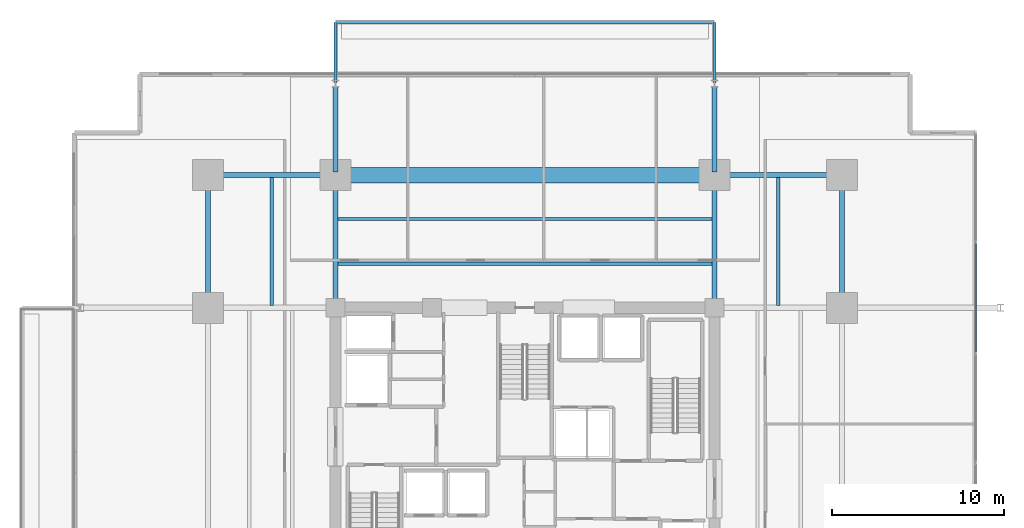
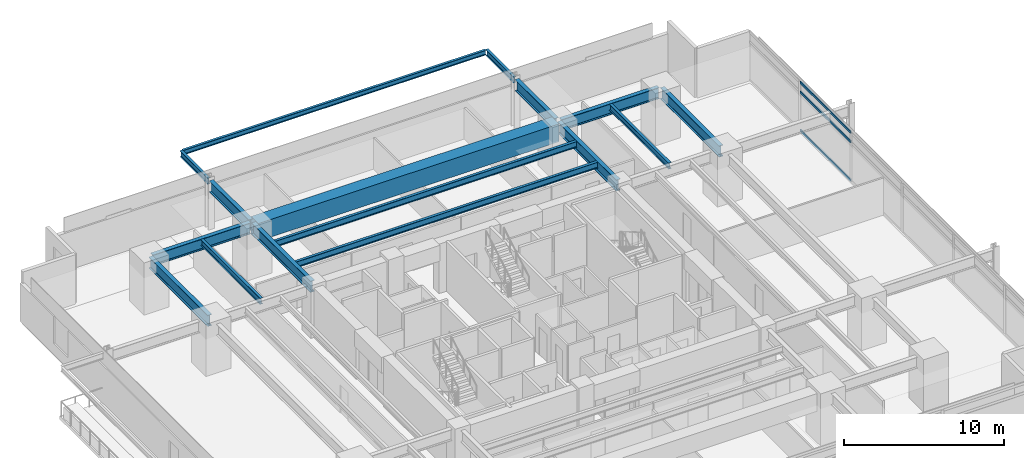
# One storey, part 10 of 20: 16 beams, 3 members, 1 element without a shape of its own.
"""IFC4 building model written with IfcOpenShell, lengths in metres."""

import ifcopenshell
import ifcopenshell.guid

model = None  # the IFC model being written
_history = None  # IfcOwnerHistory: only IFC2X3 demands one
_inside = {}  # id of a spatial element -> (the spatial element, [elements in it])
_under = {}  # id of a project, library or spatial element -> (it, [spatial elements below it])
_declared = {}  # id of a project -> (the project, [libraries it declares])
_typed = {}  # id of a type object -> (the type object, [elements of that type])
_made_of = {}  # id of a material, layer set ... -> (it, [elements and type objects made of it])


def new_model(schema):
    """Start an empty IFC model of exactly this schema.

    Asked for "IFC4X3", IfcOpenShell would pick the latest addendum, in which some entities
    have other attributes; the version numbers below select the first issue.
    IFC2X3 requires an IfcOwnerHistory on every rooted entity: one is made here for all.
    """
    global model, _history
    if schema == "IFC4X3":
        model = ifcopenshell.file(schema_version=(4, 3, 0, 0))
    else:
        model = ifcopenshell.file(schema=schema)
    _inside.clear()
    _under.clear()
    _declared.clear()
    _typed.clear()
    _made_of.clear()
    _history = None
    if model.schema == "IFC2X3":
        org = make("IfcOrganization", Name="unknown")
        user = make(
            "IfcPersonAndOrganization",
            ThePerson=make("IfcPerson", FamilyName="unknown"),
            TheOrganization=org,
        )
        app = make(
            "IfcApplication",
            ApplicationDeveloper=org,
            Version="unknown",
            ApplicationFullName="unknown",
            ApplicationIdentifier="unknown",
        )
        _history = make(
            "IfcOwnerHistory",
            OwningUser=user,
            OwningApplication=app,
            ChangeAction="ADDED",
            CreationDate=0,
        )
    return model


def make(cls, **values):
    """One entity of the class cls with the attributes given. An attribute that is None is left unset."""
    return model.create_entity(
        cls, **{name: value for name, value in values.items() if value is not None}
    )


def rooted(cls, **values):
    """An entity with a GlobalId (a new one), such as an element, a storey or a relation."""
    return make(cls, GlobalId=ifcopenshell.guid.new(), OwnerHistory=_history, **values)


def si_unit(unit_type, name, prefix=None):
    """IfcSIUnit, for example si_unit("LENGTHUNIT", "METRE", prefix="MILLI")."""
    return make("IfcSIUnit", UnitType=unit_type, Prefix=prefix, Name=name)


def assignment(units):
    """IfcUnitAssignment: the units of a project."""
    return None if units is None else make("IfcUnitAssignment", Units=units)


def point(xyz):
    """IfcCartesianPoint."""
    return None if xyz is None else make("IfcCartesianPoint", Coordinates=xyz)


def direction(xyz):
    """IfcDirection."""
    return None if xyz is None else make("IfcDirection", DirectionRatios=xyz)


def frame(location, z_axis=None, x_axis=None):
    """IfcAxis2Placement3D, a coordinate frame: its origin and axes. An axis left out is left unset."""
    return make(
        "IfcAxis2Placement3D",
        Location=point(location),
        Axis=direction(z_axis),
        RefDirection=direction(x_axis),
    )


def frame_2d(location, x_axis=None):
    """IfcAxis2Placement2D, a coordinate frame in the plane: its origin and x axis."""
    return make(
        "IfcAxis2Placement2D", Location=point(location), RefDirection=direction(x_axis)
    )


def origin():
    """The frame at (0, 0, 0) with its axes left unset."""
    return frame((0.0, 0.0, 0.0))


def origin_2d():
    """The frame at (0, 0) in the plane with its x axis left unset."""
    return frame_2d((0.0, 0.0))


def place(relative_to, where):
    """IfcLocalPlacement: puts the frame where relative to a parent placement (None: the world)."""
    return make(
        "IfcLocalPlacement", PlacementRelTo=relative_to, RelativePlacement=where
    )


def context(
    kind, dimensions, precision=None, world=None, true_north=None, identifier=None
):
    """IfcGeometricRepresentationContext, for example the 3D "Model" context."""
    return make(
        "IfcGeometricRepresentationContext",
        ContextIdentifier=identifier,
        ContextType=kind,
        CoordinateSpaceDimension=dimensions,
        Precision=precision,
        WorldCoordinateSystem=world,
        TrueNorth=true_north,
    )


def subcontext(parent, identifier, kind, view, scale=None):
    """IfcGeometricRepresentationSubContext, for example "Body" below "Model"."""
    return make(
        "IfcGeometricRepresentationSubContext",
        ContextIdentifier=identifier,
        ContextType=kind,
        ParentContext=parent,
        TargetScale=scale,
        TargetView=view,
    )


def project(units=None, contexts=None):
    """IfcProject with its units and contexts."""
    return rooted(
        "IfcProject",
        Name="project",
        RepresentationContexts=contexts,
        UnitsInContext=assignment(units),
    )


def spatial(cls, under=None, at=None, **own):
    """A site, building, storey or space (cls), placed at a placement, below another one or the project."""
    s = rooted(cls, ObjectPlacement=at, **own)
    if under is not None:
        _under.setdefault(under.id(), (under, []))[1].append(s)
    return s


def profile(cls, at=None, kind="AREA", **sizes):
    """A parametric profile (cls). Its sizes go by their IFC names, for example OverallWidth=200.0."""
    return make(cls, ProfileType=kind, Position=at, **sizes)


def rectangle(**sizes):
    """IfcRectangleProfileDef."""
    return profile("IfcRectangleProfileDef", **sizes)


def hollow_rectangle(**sizes):
    """IfcRectangleHollowProfileDef."""
    return profile("IfcRectangleHollowProfileDef", **sizes)


def i_section(**sizes):
    """IfcIShapeProfileDef."""
    return profile("IfcIShapeProfileDef", **sizes)


def extrude(swept, where, along, depth):
    """IfcExtrudedAreaSolid: the profile swept, set in the frame where, extruded along a direction by depth."""
    return make(
        "IfcExtrudedAreaSolid",
        SweptArea=swept,
        Position=where,
        ExtrudedDirection=direction(along),
        Depth=depth,
    )


def shape(context_of_items, identifier, shape_type, items):
    """IfcShapeRepresentation: the items that make up one representation, for example the "Body"."""
    return make(
        "IfcShapeRepresentation",
        ContextOfItems=context_of_items,
        RepresentationIdentifier=identifier,
        RepresentationType=shape_type,
        Items=items,
    )


def material(Name=None, Category=None):
    """IfcMaterial."""
    return make("IfcMaterial", Name=Name, Category=Category)


def material_profile(
    of_material, cross_section, Name=None, Category=None, Priority=None
):
    """IfcMaterialProfile: a cross section and its material."""
    return make(
        "IfcMaterialProfile",
        Name=Name,
        Material=of_material,
        Profile=cross_section,
        Priority=Priority,
        Category=Category,
    )


def profile_set(profiles, Name=None, composite=None):
    """IfcMaterialProfileSet."""
    return make(
        "IfcMaterialProfileSet",
        Name=Name,
        MaterialProfiles=profiles,
        CompositeProfile=composite,
    )


def made_of(thing, what):
    """Note that an element or type object is made of a material, layer set ...; save() writes the relation."""
    if what is not None:
        _made_of.setdefault(what.id(), (what, []))[1].append(thing)
    return thing


def type_object(cls, material=None, **own):
    """A type object (cls), such as IfcWallType, which elements share."""
    return made_of(rooted(cls, **own), material)


def element(
    cls,
    number,
    at=None,
    inside=None,
    cuts=None,
    type_object=None,
    material=None,
    context=None,
    identifier="Body",
    shape_type=None,
    held_by="IfcProductDefinitionShape",
    body=None,
    shapes=None,
    **own,
):
    """One element of the class cls, such as IfcWall. Its Tag is "e" and its number.

    at: its placement. inside: the storey or other place that contains it. cuts: it is an
    opening in that element (IfcRelVoidsElement). A single representation is given by context,
    identifier, shape_type and body (its items); several are given by shapes. held_by: the class
    of the entity that holds the representations. save() writes the other relations.
    """
    e = rooted(cls, Tag="e%d" % number, ObjectPlacement=at, **own)
    if body is not None:
        shapes = [shape(context, identifier, shape_type, body)]
    if shapes is not None:
        e.Representation = make(held_by, Representations=shapes)
    if inside is not None:
        _inside.setdefault(inside.id(), (inside, []))[1].append(e)
    if cuts is not None:
        rooted(
            "IfcRelVoidsElement", RelatingBuildingElement=cuts, RelatedOpeningElement=e
        )
    if type_object is not None:
        _typed.setdefault(type_object.id(), (type_object, []))[1].append(e)
    return made_of(e, material)


def aggregate(whole, parts):
    """IfcRelAggregates: a whole, such as a stair, and the parts it consists of."""
    return rooted("IfcRelAggregates", RelatingObject=whole, RelatedObjects=parts)


def save(model, path):
    """Write the relations noted so far, then the file.

    IfcRelAggregates (storeys below a building ...), IfcRelContainedInSpatialStructure (elements
    in a storey), IfcRelDefinesByType, IfcRelAssociatesMaterial and IfcRelDeclares: one each for
    every whole, place, type object, material and project.
    """
    for whole, parts in _under.values():
        aggregate(whole, parts)
    for where, things in _inside.values():
        rooted(
            "IfcRelContainedInSpatialStructure",
            RelatedElements=things,
            RelatingStructure=where,
        )
    for kind, things in _typed.values():
        rooted("IfcRelDefinesByType", RelatedObjects=things, RelatingType=kind)
    for what, things in _made_of.values():
        rooted("IfcRelAssociatesMaterial", RelatedObjects=things, RelatingMaterial=what)
    for by, libraries in _declared.values():
        rooted("IfcRelDeclares", RelatingContext=by, RelatedDefinitions=libraries)
    model.write(path)


model = new_model("IFC4")

# Units and contexts
model_context = context("Model", 3, precision=1e-05, world=origin(), true_north=direction((0.0, 1.0)))
body_context = subcontext(model_context, "Body", "Model", "MODEL_VIEW")
ifc_project = project(units=[si_unit("LENGTHUNIT", "METRE"), si_unit("AREAUNIT", "SQUARE_METRE"), si_unit("VOLUMEUNIT", "CUBIC_METRE"), si_unit("PLANEANGLEUNIT", "RADIAN"), si_unit("MASSUNIT", "GRAM", prefix="KILO")], contexts=[model_context])

# Site, building, storey
site_placement = place(None, origin())
site = spatial("IfcSite", under=ifc_project, at=site_placement, CompositionType="ELEMENT")
building_placement = place(site_placement, origin())
building = spatial("IfcBuilding", under=site, at=building_placement, Name="Kovane Verandah Tower", CompositionType="ELEMENT")
storey_placement = place(building_placement, frame((0.0, 0.0, 75.60009765625)))
storey = spatial("IfcBuildingStorey", under=building, at=storey_placement, Name="L17", CompositionType="ELEMENT", Elevation=75.60009765625)

# Beams
ifc_material_1 = material(Name="Concrete C80/95", Category="concrete")
ifc_material_profile_1 = material_profile(ifc_material_1, rectangle(XDim=0.89990234375, YDim=1.35009765625, at=origin_2d()), Name="RCB900x1350")
ifc_profile_set_1 = profile_set([ifc_material_profile_1], Name="Concrete C80/95")
beam_type_1 = type_object("IfcBeamType", Name="BM-TR-900x1350", PredefinedType="BEAM", material=ifc_profile_set_1)
beam_1_placement = place(storey_placement, frame((29.179931640625, 44.199951171875, 3.0849609375), z_axis=(1.0, 0.0, 0.0), x_axis=(0.0, 1.0, 0.0)))
element("IfcBeam", 1, at=beam_1_placement, inside=storey, type_object=beam_type_1, Name="L17 Primary Tower Girder G-RN2", PredefinedType="BEAM", context=body_context, shape_type="SweptSolid", body=[
    extrude(rectangle(XDim=0.89990234375, YDim=1.35009765625, at=origin_2d()), origin(), (0.0, 0.0, 1.0), 21.64013671875),
])
ifc_material_2 = material(Name="Steel S355", Category="steel")
ifc_material_profile_2 = material_profile(ifc_material_2, i_section(OverallWidth=0.293701171875, OverallDepth=0.850830078125, WebThickness=0.01611328125, FlangeThickness=0.02685546875, FilletRadius=0.017822265625, at=origin_2d()), Name="UB838x292x226")
ifc_profile_set_2 = profile_set([ifc_material_profile_2], Name="Steel S355")
beam_type_2 = type_object("IfcBeamType", Name="BM-UB838x226", PredefinedType="BEAM", material=ifc_profile_set_2)
for number, where, z_axis, x_axis, name in (
    (2, (21.780029296875, 44.199951171875, 3.33447265625), (1.0, 0.0, 0.0), (0.0, 1.0, 0.0), "L17 Primary Tower Girder G-RN1"),
    (3, (51.179931640625, 44.199951171875, 3.33447265625), (1.0, 0.0, 0.0), (0.0, 1.0, 0.0), "L17 Primary Tower Girder G-RN3"),
):
    element("IfcBeam", number, at=place(storey_placement, frame(where, z_axis=z_axis, x_axis=x_axis)), inside=storey, type_object=beam_type_2, Name=name, PredefinedType="BEAM", context=body_context, shape_type="SweptSolid", body=[
        extrude(i_section(OverallWidth=0.293701171875, OverallDepth=0.850830078125, WebThickness=0.01611328125, FlangeThickness=0.02685546875, FilletRadius=0.017822265625, at=origin_2d()), origin(), (0.0, 0.0, 1.0), 7.0400390625),
    ])
for number, where, z_axis, x_axis, name in (
    (4, (21.60009765625, 36.679931640625, 3.33447265625), (0.0, 1.0, 0.0), (-1.0, 0.0, 0.0), "L17 Primary Tower Girder G-RW3"),
    (5, (58.39990234375, 36.679931640625, 3.33447265625), (0.0, 1.0, 0.0), (-1.0, 0.0, 0.0), "L17 Primary Tower Girder G-RE3"),
    (6, (29.0, 36.679931640625, 3.33447265625), (0.0, 1.0, 0.0), (-1.0, 0.0, 0.0), "L17 Primary Tower Girder G-N1"),
    (7, (51.0, 36.679931640625, 3.33447265625), (0.0, 1.0, 0.0), (-1.0, 0.0, 0.0), "L17 Primary Tower Girder G-N2"),
):
    element("IfcBeam", number, at=place(storey_placement, frame(where, z_axis=z_axis, x_axis=x_axis)), inside=storey, type_object=beam_type_2, Name=name, PredefinedType="BEAM", context=body_context, shape_type="SweptSolid", body=[
        extrude(i_section(OverallWidth=0.293701171875, OverallDepth=0.850830078125, WebThickness=0.01611328125, FlangeThickness=0.02685546875, FilletRadius=0.017822265625, at=origin_2d()), origin(), (0.0, 0.0, 1.0), 7.340087890625),
    ])
for number, where, z_axis, x_axis, name in (
    (8, (29.0, 44.3798828125, 3.33447265625), (0.0, 1.0, 0.0), (-1.0, 0.0, 0.0), "L17 Primary Tower Girder G-VN1"),
    (9, (51.0, 44.3798828125, 3.33447265625), (0.0, 1.0, 0.0), (-1.0, 0.0, 0.0), "L17 Primary Tower Girder G-VN2"),
):
    element("IfcBeam", number, at=place(storey_placement, frame(where, z_axis=z_axis, x_axis=x_axis)), inside=storey, type_object=beam_type_2, Name=name, PredefinedType="BEAM", context=body_context, shape_type="SweptSolid", body=[
        extrude(i_section(OverallWidth=0.293701171875, OverallDepth=0.850830078125, WebThickness=0.01611328125, FlangeThickness=0.02685546875, FilletRadius=0.017822265625, at=origin_2d()), origin(), (0.0, 0.0, 1.0), 4.940185546875),
    ])

# Curtain wall, members
ifc_material_3 = material(Name="Champagne Anodised Aluminium Frame with Low-E Clear Laminated Glass", Category="aluminium")
curtain_wall_type = type_object("IfcCurtainWallType", Name="CW-SYS-02-LOW", PredefinedType="NOTDEFINED", material=ifc_material_3)
curtain_wall_placement = place(storey_placement, origin())
curtain_wall = element("IfcCurtainWall", 10, at=curtain_wall_placement, inside=storey, type_object=curtain_wall_type, Name="L17 E Unitised Curtain Wall", PredefinedType="NOTDEFINED")
ifc_material_4 = material(Name="Champagne Anodised Aluminium 6063-T6", Category="aluminium")
ifc_material_profile_3 = material_profile(ifc_material_4, hollow_rectangle(XDim=0.0849609375, YDim=0.18994140625, WallThickness=0.00390625, at=origin_2d()), Name="AL85x190x4")
ifc_profile_set_3 = profile_set([ifc_material_profile_3], Name="Champagne Anodised Aluminium 6063-T6")
member_type = type_object("IfcMemberType", Name="CW-TRN-85x190", PredefinedType="USERDEFINED", material=ifc_profile_set_3)
member_1_placement = place(storey_placement, frame((66.162353515625, 33.9345703125, 0.0498046875), z_axis=(0.0, 1.0, 0.0), x_axis=(-1.0, 0.0, 0.0)))
member_1 = element("IfcMember", 11, at=member_1_placement, type_object=member_type, Name="L17 E Unitised Curtain Wall Transom TB Bay 5", ObjectType="TRANSOM", PredefinedType="USERDEFINED", context=body_context, shape_type="SweptSolid", body=[
    extrude(hollow_rectangle(XDim=0.0849609375, YDim=0.18994140625, WallThickness=0.00390625, at=origin_2d()), origin(), (0.0, 0.0, 1.0), 6.284423828125),
])
member_2_placement = place(storey_placement, frame((66.162353515625, 33.9345703125, 2.97998046875), z_axis=(0.0, 1.0, 0.0), x_axis=(-1.0, 0.0, 0.0)))
member_2 = element("IfcMember", 12, at=member_2_placement, type_object=member_type, Name="L17 E Unitised Curtain Wall Transom TM Bay 5", ObjectType="TRANSOM", PredefinedType="USERDEFINED", context=body_context, shape_type="SweptSolid", body=[
    extrude(hollow_rectangle(XDim=0.0849609375, YDim=0.18994140625, WallThickness=0.00390625, at=origin_2d()), origin(), (0.0, 0.0, 1.0), 6.284423828125),
])
member_3_placement = place(storey_placement, frame((66.162353515625, 33.9345703125, 3.7099609375), z_axis=(0.0, 1.0, 0.0), x_axis=(-1.0, 0.0, 0.0)))
member_3 = element("IfcMember", 13, at=member_3_placement, type_object=member_type, Name="L17 E Unitised Curtain Wall Transom TT Bay 5", ObjectType="TRANSOM", PredefinedType="USERDEFINED", context=body_context, shape_type="SweptSolid", body=[
    extrude(hollow_rectangle(XDim=0.0849609375, YDim=0.18994140625, WallThickness=0.00390625, at=origin_2d()), origin(), (0.0, 0.0, 1.0), 6.284423828125),
])
aggregate(curtain_wall, [member_1, member_2, member_3])

# Beams
ifc_material_profile_4 = material_profile(ifc_material_2, i_section(OverallWidth=0.19287109375, OverallDepth=0.46728515625, WebThickness=0.011474609375, FlangeThickness=0.01953125, FilletRadius=0.01025390625, at=origin_2d()), Name="UB457x191x98")
ifc_profile_set_4 = profile_set([ifc_material_profile_4], Name="Steel S355")
beam_type_3 = type_object("IfcBeamType", Name="JST-UB457x98", PredefinedType="JOIST", material=ifc_profile_set_4)
for number, where, z_axis, x_axis, name in (
    (14, (29.14501953125, 39.050048828125, 3.5263671875), (1.0, 0.0, 0.0), (0.0, 1.0, 0.0), "L17 Secondary Composite Joist J-N1"),
    (15, (29.14501953125, 41.64990234375, 3.5263671875), (1.0, 0.0, 0.0), (0.0, 1.0, 0.0), "L17 Secondary Composite Joist J-N2"),
):
    element("IfcBeam", number, at=place(storey_placement, frame(where, z_axis=z_axis, x_axis=x_axis)), inside=storey, type_object=beam_type_3, Name=name, PredefinedType="JOIST", context=body_context, shape_type="SweptSolid", body=[
        extrude(i_section(OverallWidth=0.19287109375, OverallDepth=0.46728515625, WebThickness=0.011474609375, FlangeThickness=0.01953125, FilletRadius=0.01025390625, at=origin_2d()), origin(), (0.0, 0.0, 1.0), 21.7099609375),
    ])
for number, where, z_axis, x_axis, name in (
    (16, (25.300048828125, 36.64501953125, 3.5263671875), (0.0, 1.0, 0.0), (-1.0, 0.0, 0.0), "L17 Secondary Composite Joist J-NW1"),
    (17, (54.699951171875, 36.64501953125, 3.5263671875), (0.0, 1.0, 0.0), (-1.0, 0.0, 0.0), "L17 Secondary Composite Joist J-NE1"),
):
    element("IfcBeam", number, at=place(storey_placement, frame(where, z_axis=z_axis, x_axis=x_axis)), inside=storey, type_object=beam_type_3, Name=name, PredefinedType="JOIST", context=body_context, shape_type="SweptSolid", body=[
        extrude(i_section(OverallWidth=0.19287109375, OverallDepth=0.46728515625, WebThickness=0.011474609375, FlangeThickness=0.01953125, FilletRadius=0.01025390625, at=origin_2d()), origin(), (0.0, 0.0, 1.0), 7.41015625),
    ])
for number, where, z_axis, x_axis, name in (
    (18, (29.0, 49.580078125, 3.5263671875), (0.0, 1.0, 0.0), (-1.0, 0.0, 0.0), "L17 North Planter Girder 1"),
    (19, (51.0, 49.580078125, 3.5263671875), (0.0, 1.0, 0.0), (-1.0, 0.0, 0.0), "L17 North Planter Girder 2"),
):
    element("IfcBeam", number, at=place(storey_placement, frame(where, z_axis=z_axis, x_axis=x_axis)), inside=storey, type_object=beam_type_3, Name=name, PredefinedType="JOIST", context=body_context, shape_type="SweptSolid", body=[
        extrude(i_section(OverallWidth=0.19287109375, OverallDepth=0.46728515625, WebThickness=0.011474609375, FlangeThickness=0.01953125, FilletRadius=0.01025390625, at=origin_2d()), origin(), (0.0, 0.0, 1.0), 3.469970703125),
    ])
ifc_material_profile_5 = material_profile(ifc_material_2, i_section(OverallWidth=0.173095703125, OverallDepth=0.36328125, WebThickness=0.009033203125, FlangeThickness=0.015625, FilletRadius=0.01025390625, at=origin_2d()), Name="UB356x171x67")
ifc_profile_set_5 = profile_set([ifc_material_profile_5], Name="Steel S355")
beam_type_4 = type_object("IfcBeamType", Name="SPD-UB356x67", PredefinedType="USERDEFINED", material=ifc_profile_set_5)
beam_2_placement = place(storey_placement, frame((29.094482421875, 53.050048828125, 3.578125), z_axis=(1.0, 0.0, 0.0), x_axis=(0.0, 1.0, 0.0)))
element("IfcBeam", 20, at=beam_2_placement, inside=storey, type_object=beam_type_4, Name="L17 North Planter Edge Spandrel", ObjectType="SPANDREL", PredefinedType="USERDEFINED", context=body_context, shape_type="SweptSolid", body=[
    extrude(i_section(OverallWidth=0.173095703125, OverallDepth=0.36328125, WebThickness=0.009033203125, FlangeThickness=0.015625, FilletRadius=0.01025390625, at=origin_2d()), origin(), (0.0, 0.0, 1.0), 21.81103515625),
])

save(model, "model.ifc")
